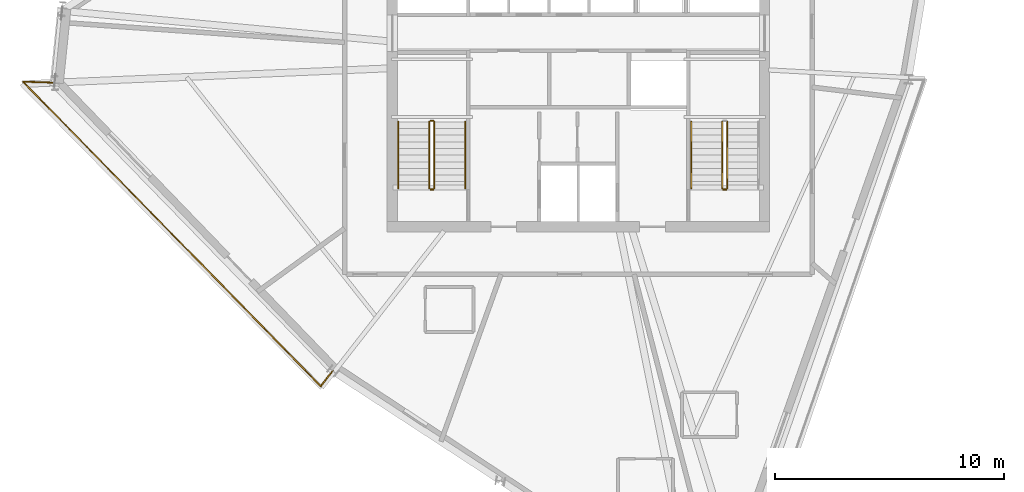
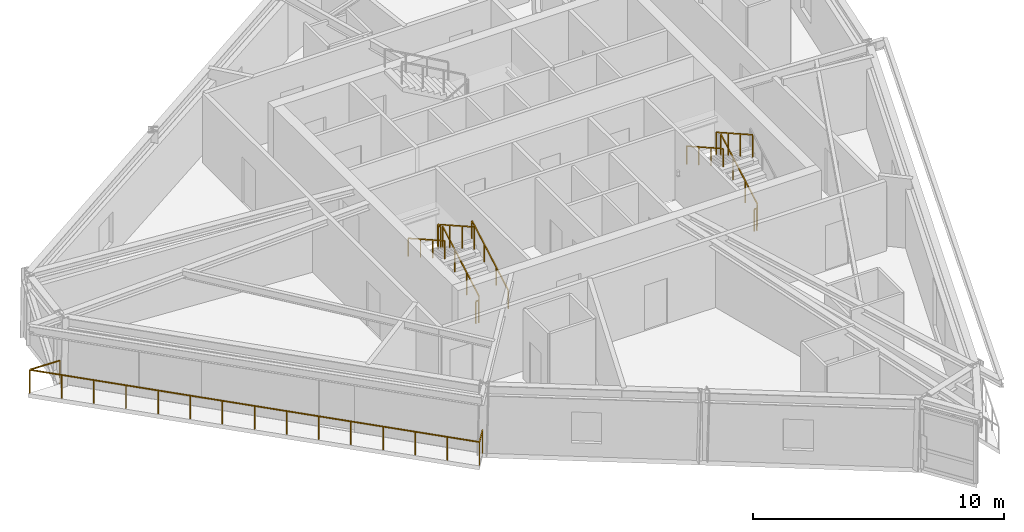
# One storey, part 11 of 13: 11 railings.
"""IFC4 building model written with IfcOpenShell, lengths in metres."""

import ifcopenshell
import ifcopenshell.guid

model = None  # the IFC model being written
_history = None  # IfcOwnerHistory: only IFC2X3 demands one
_inside = {}  # id of a spatial element -> (the spatial element, [elements in it])
_under = {}  # id of a project, library or spatial element -> (it, [spatial elements below it])
_declared = {}  # id of a project -> (the project, [libraries it declares])
_typed = {}  # id of a type object -> (the type object, [elements of that type])
_made_of = {}  # id of a material, layer set ... -> (it, [elements and type objects made of it])


def new_model(schema):
    """Start an empty IFC model of exactly this schema.

    Asked for "IFC4X3", IfcOpenShell would pick the latest addendum, in which some entities
    have other attributes; the version numbers below select the first issue.
    IFC2X3 requires an IfcOwnerHistory on every rooted entity: one is made here for all.
    """
    global model, _history
    if schema == "IFC4X3":
        model = ifcopenshell.file(schema_version=(4, 3, 0, 0))
    else:
        model = ifcopenshell.file(schema=schema)
    _inside.clear()
    _under.clear()
    _declared.clear()
    _typed.clear()
    _made_of.clear()
    _history = None
    if model.schema == "IFC2X3":
        org = make("IfcOrganization", Name="unknown")
        user = make(
            "IfcPersonAndOrganization",
            ThePerson=make("IfcPerson", FamilyName="unknown"),
            TheOrganization=org,
        )
        app = make(
            "IfcApplication",
            ApplicationDeveloper=org,
            Version="unknown",
            ApplicationFullName="unknown",
            ApplicationIdentifier="unknown",
        )
        _history = make(
            "IfcOwnerHistory",
            OwningUser=user,
            OwningApplication=app,
            ChangeAction="ADDED",
            CreationDate=0,
        )
    return model


def make(cls, **values):
    """One entity of the class cls with the attributes given. An attribute that is None is left unset."""
    return model.create_entity(
        cls, **{name: value for name, value in values.items() if value is not None}
    )


def rooted(cls, **values):
    """An entity with a GlobalId (a new one), such as an element, a storey or a relation."""
    return make(cls, GlobalId=ifcopenshell.guid.new(), OwnerHistory=_history, **values)


def si_unit(unit_type, name, prefix=None):
    """IfcSIUnit, for example si_unit("LENGTHUNIT", "METRE", prefix="MILLI")."""
    return make("IfcSIUnit", UnitType=unit_type, Prefix=prefix, Name=name)


def assignment(units):
    """IfcUnitAssignment: the units of a project."""
    return None if units is None else make("IfcUnitAssignment", Units=units)


def point(xyz):
    """IfcCartesianPoint."""
    return None if xyz is None else make("IfcCartesianPoint", Coordinates=xyz)


def direction(xyz):
    """IfcDirection."""
    return None if xyz is None else make("IfcDirection", DirectionRatios=xyz)


def frame(location, z_axis=None, x_axis=None):
    """IfcAxis2Placement3D, a coordinate frame: its origin and axes. An axis left out is left unset."""
    return make(
        "IfcAxis2Placement3D",
        Location=point(location),
        Axis=direction(z_axis),
        RefDirection=direction(x_axis),
    )


def frame_2d(location, x_axis=None):
    """IfcAxis2Placement2D, a coordinate frame in the plane: its origin and x axis."""
    return make(
        "IfcAxis2Placement2D", Location=point(location), RefDirection=direction(x_axis)
    )


def origin():
    """The frame at (0, 0, 0) with its axes left unset."""
    return frame((0.0, 0.0, 0.0))


def origin_2d():
    """The frame at (0, 0) in the plane with its x axis left unset."""
    return frame_2d((0.0, 0.0))


def place(relative_to, where):
    """IfcLocalPlacement: puts the frame where relative to a parent placement (None: the world)."""
    return make(
        "IfcLocalPlacement", PlacementRelTo=relative_to, RelativePlacement=where
    )


def context(
    kind, dimensions, precision=None, world=None, true_north=None, identifier=None
):
    """IfcGeometricRepresentationContext, for example the 3D "Model" context."""
    return make(
        "IfcGeometricRepresentationContext",
        ContextIdentifier=identifier,
        ContextType=kind,
        CoordinateSpaceDimension=dimensions,
        Precision=precision,
        WorldCoordinateSystem=world,
        TrueNorth=true_north,
    )


def subcontext(parent, identifier, kind, view, scale=None):
    """IfcGeometricRepresentationSubContext, for example "Body" below "Model"."""
    return make(
        "IfcGeometricRepresentationSubContext",
        ContextIdentifier=identifier,
        ContextType=kind,
        ParentContext=parent,
        TargetScale=scale,
        TargetView=view,
    )


def project(units=None, contexts=None):
    """IfcProject with its units and contexts."""
    return rooted(
        "IfcProject",
        Name="project",
        RepresentationContexts=contexts,
        UnitsInContext=assignment(units),
    )


def spatial(cls, under=None, at=None, **own):
    """A site, building, storey or space (cls), placed at a placement, below another one or the project."""
    s = rooted(cls, ObjectPlacement=at, **own)
    if under is not None:
        _under.setdefault(under.id(), (under, []))[1].append(s)
    return s


def profile(cls, at=None, kind="AREA", **sizes):
    """A parametric profile (cls). Its sizes go by their IFC names, for example OverallWidth=200.0."""
    return make(cls, ProfileType=kind, Position=at, **sizes)


def rectangle(**sizes):
    """IfcRectangleProfileDef."""
    return profile("IfcRectangleProfileDef", **sizes)


def extrude(swept, where, along, depth):
    """IfcExtrudedAreaSolid: the profile swept, set in the frame where, extruded along a direction by depth."""
    return make(
        "IfcExtrudedAreaSolid",
        SweptArea=swept,
        Position=where,
        ExtrudedDirection=direction(along),
        Depth=depth,
    )


def shape(context_of_items, identifier, shape_type, items):
    """IfcShapeRepresentation: the items that make up one representation, for example the "Body"."""
    return make(
        "IfcShapeRepresentation",
        ContextOfItems=context_of_items,
        RepresentationIdentifier=identifier,
        RepresentationType=shape_type,
        Items=items,
    )


def material(Name=None, Category=None):
    """IfcMaterial."""
    return make("IfcMaterial", Name=Name, Category=Category)


def made_of(thing, what):
    """Note that an element or type object is made of a material, layer set ...; save() writes the relation."""
    if what is not None:
        _made_of.setdefault(what.id(), (what, []))[1].append(thing)
    return thing


def type_object(cls, material=None, **own):
    """A type object (cls), such as IfcWallType, which elements share."""
    return made_of(rooted(cls, **own), material)


def element(
    cls,
    number,
    at=None,
    inside=None,
    cuts=None,
    type_object=None,
    material=None,
    context=None,
    identifier="Body",
    shape_type=None,
    held_by="IfcProductDefinitionShape",
    body=None,
    shapes=None,
    **own,
):
    """One element of the class cls, such as IfcWall. Its Tag is "e" and its number.

    at: its placement. inside: the storey or other place that contains it. cuts: it is an
    opening in that element (IfcRelVoidsElement). A single representation is given by context,
    identifier, shape_type and body (its items); several are given by shapes. held_by: the class
    of the entity that holds the representations. save() writes the other relations.
    """
    e = rooted(cls, Tag="e%d" % number, ObjectPlacement=at, **own)
    if body is not None:
        shapes = [shape(context, identifier, shape_type, body)]
    if shapes is not None:
        e.Representation = make(held_by, Representations=shapes)
    if inside is not None:
        _inside.setdefault(inside.id(), (inside, []))[1].append(e)
    if cuts is not None:
        rooted(
            "IfcRelVoidsElement", RelatingBuildingElement=cuts, RelatedOpeningElement=e
        )
    if type_object is not None:
        _typed.setdefault(type_object.id(), (type_object, []))[1].append(e)
    return made_of(e, material)


def aggregate(whole, parts):
    """IfcRelAggregates: a whole, such as a stair, and the parts it consists of."""
    return rooted("IfcRelAggregates", RelatingObject=whole, RelatedObjects=parts)


def save(model, path):
    """Write the relations noted so far, then the file.

    IfcRelAggregates (storeys below a building ...), IfcRelContainedInSpatialStructure (elements
    in a storey), IfcRelDefinesByType, IfcRelAssociatesMaterial and IfcRelDeclares: one each for
    every whole, place, type object, material and project.
    """
    for whole, parts in _under.values():
        aggregate(whole, parts)
    for where, things in _inside.values():
        rooted(
            "IfcRelContainedInSpatialStructure",
            RelatedElements=things,
            RelatingStructure=where,
        )
    for kind, things in _typed.values():
        rooted("IfcRelDefinesByType", RelatedObjects=things, RelatingType=kind)
    for what, things in _made_of.values():
        rooted("IfcRelAssociatesMaterial", RelatedObjects=things, RelatingMaterial=what)
    for by, libraries in _declared.values():
        rooted("IfcRelDeclares", RelatingContext=by, RelatedDefinitions=libraries)
    model.write(path)


model = new_model("IFC4")

# Units and contexts
model_context = context("Model", 3, precision=1e-05, world=origin(), true_north=direction((0.0, 1.0)))
body_context = subcontext(model_context, "Body", "Model", "MODEL_VIEW")
ifc_project = project(units=[si_unit("LENGTHUNIT", "METRE"), si_unit("AREAUNIT", "SQUARE_METRE"), si_unit("VOLUMEUNIT", "CUBIC_METRE"), si_unit("PLANEANGLEUNIT", "RADIAN"), si_unit("MASSUNIT", "GRAM", prefix="KILO")], contexts=[model_context])

# Site, building, storey
site_placement = place(None, origin())
site = spatial("IfcSite", under=ifc_project, at=site_placement, CompositionType="ELEMENT")
building_placement = place(site_placement, origin())
building = spatial("IfcBuilding", under=site, at=building_placement, Name="Olszyna Solenne Hotel", CompositionType="ELEMENT")
storey_placement = place(building_placement, frame((0.0, 0.0, 248.89990234375)))
storey = spatial("IfcBuildingStorey", under=building, at=storey_placement, Name="L66", CompositionType="ELEMENT", Elevation=248.89990234375)

# Railings
ifc_material_1 = material(Name="Anodised bronze aluminium", Category="aluminium")
railing_type_1 = type_object("IfcRailingType", Name="GR-110", PredefinedType="BALUSTRADE", material=ifc_material_1)
railing_1_placement = place(storey_placement, frame((15.149169921875, 25.56201171875, 0.0)))
element("IfcRailing", 1, at=railing_1_placement, inside=storey, type_object=railing_type_1, Name="Loggia balcony balustrade guard GR-L66-LG2", PredefinedType="BALUSTRADE", context=body_context, shape_type="SweptSolid", body=[
    extrude(rectangle(XDim=0.048095703125, YDim=0.048095703125, at=origin_2d()), frame((0.0, 0.0, 1.1259765625), z_axis=(-0.999457990226, 0.03291999047, 0.0), x_axis=(-0.03291999047, -0.999457990226, 0.0)), (0.0, 0.0, 1.0), 1.37939453125),
    extrude(rectangle(XDim=0.048095703125, YDim=0.048095703125, at=origin_2d()), frame((-1.378662109375, 0.04541015625, 1.1259765625), z_axis=(0.699073448601, -0.715049867814, 0.0), x_axis=(0.715049867814, 0.699073448601, 0.0)), (0.0, 0.0, 1.0), 18.58203125),
    extrude(rectangle(XDim=0.048095703125, YDim=0.048095703125, at=origin_2d()), frame((11.611572265625, -13.24169921875, 1.1259765625), z_axis=(0.616035920196, 0.78771806189, 0.0), x_axis=(-0.78771806189, 0.616035920196, 0.0)), (0.0, 0.0, 1.0), 0.84619140625),
    extrude(rectangle(XDim=0.0419921875, YDim=0.0419921875, at=origin_2d()), origin(), (0.0, 0.0, 1.0), 1.101806640625),
    extrude(rectangle(XDim=0.0419921875, YDim=0.0419921875, at=origin_2d()), frame((-1.378662109375, 0.04541015625, 0.0)), (0.0, 0.0, 1.0), 1.101806640625),
    extrude(rectangle(XDim=0.0419921875, YDim=0.0419921875, at=origin_2d()), frame((-0.45068359375, -0.903564453125, 0.0)), (0.0, 0.0, 1.0), 1.101806640625),
    extrude(rectangle(XDim=0.0419921875, YDim=0.0419921875, at=origin_2d()), frame((0.47705078125, -1.852783203125, 0.0)), (0.0, 0.0, 1.0), 1.101806640625),
    extrude(rectangle(XDim=0.0419921875, YDim=0.0419921875, at=origin_2d()), frame((1.405029296875, -2.8017578125, 0.0)), (0.0, 0.0, 1.0), 1.101806640625),
    extrude(rectangle(XDim=0.0419921875, YDim=0.0419921875, at=origin_2d()), frame((2.332763671875, -3.7509765625, 0.0)), (0.0, 0.0, 1.0), 1.101806640625),
    extrude(rectangle(XDim=0.0419921875, YDim=0.0419921875, at=origin_2d()), frame((3.2607421875, -4.699951171875, 0.0)), (0.0, 0.0, 1.0), 1.101806640625),
    extrude(rectangle(XDim=0.0419921875, YDim=0.0419921875, at=origin_2d()), frame((4.1884765625, -5.649169921875, 0.0)), (0.0, 0.0, 1.0), 1.101806640625),
    extrude(rectangle(XDim=0.0419921875, YDim=0.0419921875, at=origin_2d()), frame((5.116455078125, -6.59814453125, 0.0)), (0.0, 0.0, 1.0), 1.101806640625),
    extrude(rectangle(XDim=0.0419921875, YDim=0.0419921875, at=origin_2d()), frame((6.04443359375, -7.547119140625, 0.0)), (0.0, 0.0, 1.0), 1.101806640625),
    extrude(rectangle(XDim=0.0419921875, YDim=0.0419921875, at=origin_2d()), frame((6.97216796875, -8.496337890625, 0.0)), (0.0, 0.0, 1.0), 1.101806640625),
    extrude(rectangle(XDim=0.0419921875, YDim=0.0419921875, at=origin_2d()), frame((7.900146484375, -9.4453125, 0.0)), (0.0, 0.0, 1.0), 1.101806640625),
    extrude(rectangle(XDim=0.0419921875, YDim=0.0419921875, at=origin_2d()), frame((8.827880859375, -10.39453125, 0.0)), (0.0, 0.0, 1.0), 1.101806640625),
    extrude(rectangle(XDim=0.0419921875, YDim=0.0419921875, at=origin_2d()), frame((9.755859375, -11.343505859375, 0.0)), (0.0, 0.0, 1.0), 1.101806640625),
    extrude(rectangle(XDim=0.0419921875, YDim=0.0419921875, at=origin_2d()), frame((10.68359375, -12.292724609375, 0.0)), (0.0, 0.0, 1.0), 1.101806640625),
    extrude(rectangle(XDim=0.0419921875, YDim=0.0419921875, at=origin_2d()), frame((11.611572265625, -13.24169921875, 0.0)), (0.0, 0.0, 1.0), 1.101806640625),
    extrude(rectangle(XDim=0.0419921875, YDim=0.0419921875, at=origin_2d()), frame((12.1328125, -12.5751953125, 0.0)), (0.0, 0.0, 1.0), 1.101806640625),
])
railing_2_placement = place(storey_placement, frame((31.719970703125, 20.949951171875, 0.163818359375)))
element("IfcRailing", 2, at=railing_2_placement, inside=storey, type_object=railing_type_1, Name="L66 ST1 stair guard 1", PredefinedType="BALUSTRADE", context=body_context, shape_type="SweptSolid", body=[
    extrude(rectangle(XDim=0.048095703125, YDim=0.048095703125, at=origin_2d()), frame((0.0, 0.0, 1.076171875), z_axis=(0.0, 0.870946286338, 0.49137823142), x_axis=(-1.0, 0.0, 0.0)), (0.0, 0.0, 1.0), 3.329833984375),
    extrude(rectangle(XDim=0.0419921875, YDim=0.0419921875, at=origin_2d()), origin(), (0.0, 0.0, 1.0), 1.052001953125),
    extrude(rectangle(XDim=0.0419921875, YDim=0.0419921875, at=origin_2d()), frame((0.0, 0.966796875, 0.54541015625)), (0.0, 0.0, 1.0), 1.052001953125),
    extrude(rectangle(XDim=0.0419921875, YDim=0.0419921875, at=origin_2d()), frame((0.0, 1.933349609375, 1.0908203125)), (0.0, 0.0, 1.0), 1.052001953125),
    extrude(rectangle(XDim=0.0419921875, YDim=0.0419921875, at=origin_2d()), frame((0.0, 2.900146484375, 1.63623046875)), (0.0, 0.0, 1.0), 1.052001953125),
])
railing_3_placement = place(storey_placement, frame((31.669921875, 23.89990234375, 1.800048828125)))
element("IfcRailing", 3, at=railing_3_placement, inside=storey, type_object=railing_type_1, Name="L66 ST1 stair guard 2", PredefinedType="BALUSTRADE", context=body_context, shape_type="SweptSolid", body=[
    extrude(rectangle(XDim=0.048095703125, YDim=0.048095703125, at=origin_2d()), frame((0.0, 0.0, 1.076171875), z_axis=(-1.0, 0.0, 0.0), x_axis=(0.0, -1.0, 0.0)), (0.0, 0.0, 1.0), 0.119873046875),
    extrude(rectangle(XDim=0.0419921875, YDim=0.0419921875, at=origin_2d()), origin(), (0.0, 0.0, 1.0), 1.052001953125),
    extrude(rectangle(XDim=0.0419921875, YDim=0.0419921875, at=origin_2d()), frame((-0.119873046875, 0.0, 0.0)), (0.0, 0.0, 1.0), 1.052001953125),
])
railing_4_placement = place(storey_placement, frame((31.5, 23.85009765625, 1.963623046875)))
element("IfcRailing", 4, at=railing_4_placement, inside=storey, type_object=railing_type_1, Name="L66 ST1 stair guard 3", PredefinedType="BALUSTRADE", context=body_context, shape_type="SweptSolid", body=[
    extrude(rectangle(XDim=0.048095703125, YDim=0.048095703125, at=origin_2d()), frame((0.0, 0.0, 1.076171875), z_axis=(0.0, -0.870914908162, 0.491433843708), x_axis=(1.0, 0.0, 0.0)), (0.0, 0.0, 1.0), 3.330078125),
    extrude(rectangle(XDim=0.0419921875, YDim=0.0419921875, at=origin_2d()), origin(), (0.0, 0.0, 1.0), 1.052001953125),
    extrude(rectangle(XDim=0.0419921875, YDim=0.0419921875, at=origin_2d()), frame((0.0, -0.966796875, 0.54541015625)), (0.0, 0.0, 1.0), 1.052001953125),
    extrude(rectangle(XDim=0.0419921875, YDim=0.0419921875, at=origin_2d()), frame((0.0, -1.933349609375, 1.091064453125)), (0.0, 0.0, 1.0), 1.052001953125),
    extrude(rectangle(XDim=0.0419921875, YDim=0.0419921875, at=origin_2d()), frame((0.0, -2.900146484375, 1.636474609375)), (0.0, 0.0, 1.0), 1.052001953125),
])
railing_5_placement = place(storey_placement, frame((31.669921875, 20.89990234375, 0.0)))
element("IfcRailing", 5, at=railing_5_placement, inside=storey, type_object=railing_type_1, Name="L66 ST1 stair guard 4", PredefinedType="BALUSTRADE", context=body_context, shape_type="SweptSolid", body=[
    extrude(rectangle(XDim=0.048095703125, YDim=0.048095703125, at=origin_2d()), frame((0.0, 0.0, 1.076171875), z_axis=(-1.0, 0.0, 0.0), x_axis=(0.0, -1.0, 0.0)), (0.0, 0.0, 1.0), 0.119873046875),
    extrude(rectangle(XDim=0.0419921875, YDim=0.0419921875, at=origin_2d()), origin(), (0.0, 0.0, 1.0), 1.052001953125),
    extrude(rectangle(XDim=0.0419921875, YDim=0.0419921875, at=origin_2d()), frame((-0.119873046875, 0.0, 0.0)), (0.0, 0.0, 1.0), 1.052001953125),
])
railing_6_placement = place(storey_placement, frame((44.5, 20.949951171875, 0.163818359375)))
element("IfcRailing", 6, at=railing_6_placement, inside=storey, type_object=railing_type_1, Name="L66 ST2 stair guard 1", PredefinedType="BALUSTRADE", context=body_context, shape_type="SweptSolid", body=[
    extrude(rectangle(XDim=0.048095703125, YDim=0.048095703125, at=origin_2d()), frame((0.0, 0.0, 1.076171875), z_axis=(0.0, 0.870946286338, 0.49137823142), x_axis=(-1.0, 0.0, 0.0)), (0.0, 0.0, 1.0), 3.329833984375),
    extrude(rectangle(XDim=0.0419921875, YDim=0.0419921875, at=origin_2d()), origin(), (0.0, 0.0, 1.0), 1.052001953125),
    extrude(rectangle(XDim=0.0419921875, YDim=0.0419921875, at=origin_2d()), frame((0.0, 0.966796875, 0.54541015625)), (0.0, 0.0, 1.0), 1.052001953125),
    extrude(rectangle(XDim=0.0419921875, YDim=0.0419921875, at=origin_2d()), frame((0.0, 1.933349609375, 1.0908203125)), (0.0, 0.0, 1.0), 1.052001953125),
    extrude(rectangle(XDim=0.0419921875, YDim=0.0419921875, at=origin_2d()), frame((0.0, 2.900146484375, 1.63623046875)), (0.0, 0.0, 1.0), 1.052001953125),
])
railing_7_placement = place(storey_placement, frame((44.280029296875, 23.85009765625, 1.963623046875)))
element("IfcRailing", 7, at=railing_7_placement, inside=storey, type_object=railing_type_1, Name="L66 ST2 stair guard 3", PredefinedType="BALUSTRADE", context=body_context, shape_type="SweptSolid", body=[
    extrude(rectangle(XDim=0.048095703125, YDim=0.048095703125, at=origin_2d()), frame((0.0, 0.0, 1.076171875), z_axis=(0.0, -0.870914908162, 0.491433843708), x_axis=(1.0, 0.0, 0.0)), (0.0, 0.0, 1.0), 3.330078125),
    extrude(rectangle(XDim=0.0419921875, YDim=0.0419921875, at=origin_2d()), origin(), (0.0, 0.0, 1.0), 1.052001953125),
    extrude(rectangle(XDim=0.0419921875, YDim=0.0419921875, at=origin_2d()), frame((0.0, -0.966796875, 0.54541015625)), (0.0, 0.0, 1.0), 1.052001953125),
    extrude(rectangle(XDim=0.0419921875, YDim=0.0419921875, at=origin_2d()), frame((0.0, -1.933349609375, 1.091064453125)), (0.0, 0.0, 1.0), 1.052001953125),
    extrude(rectangle(XDim=0.0419921875, YDim=0.0419921875, at=origin_2d()), frame((0.0, -2.900146484375, 1.636474609375)), (0.0, 0.0, 1.0), 1.052001953125),
])
railing_8_placement = place(storey_placement, frame((44.449951171875, 20.89990234375, 0.0)))
element("IfcRailing", 8, at=railing_8_placement, inside=storey, type_object=railing_type_1, Name="L66 ST2 stair guard 4", PredefinedType="BALUSTRADE", context=body_context, shape_type="SweptSolid", body=[
    extrude(rectangle(XDim=0.048095703125, YDim=0.048095703125, at=origin_2d()), frame((0.0, 0.0, 1.076171875), z_axis=(-1.0, 0.0, 0.0), x_axis=(0.0, -1.0, 0.0)), (0.0, 0.0, 1.0), 0.119873046875),
    extrude(rectangle(XDim=0.0419921875, YDim=0.0419921875, at=origin_2d()), origin(), (0.0, 0.0, 1.0), 1.052001953125),
    extrude(rectangle(XDim=0.0419921875, YDim=0.0419921875, at=origin_2d()), frame((-0.119873046875, 0.0, 0.0)), (0.0, 0.0, 1.0), 1.052001953125),
])
ifc_material_2 = material(Name="Steel S355J2", Category="steel")
railing_type_2 = type_object("IfcRailingType", Name="HR-090", PredefinedType="HANDRAIL", material=ifc_material_2)
railing_9_placement = place(storey_placement, frame((33.070068359375, 20.949951171875, 0.163818359375)))
element("IfcRailing", 9, at=railing_9_placement, inside=storey, type_object=railing_type_2, Name="L66 ST1 stair handrail 1", PredefinedType="HANDRAIL", context=body_context, shape_type="SweptSolid", body=[
    extrude(rectangle(XDim=0.048095703125, YDim=0.048095703125, at=origin_2d()), frame((0.0, 0.0, 0.8759765625), z_axis=(0.0, 0.870946286338, 0.49137823142), x_axis=(-1.0, 0.0, 0.0)), (0.0, 0.0, 1.0), 3.329833984375),
    extrude(rectangle(XDim=0.0419921875, YDim=0.0419921875, at=origin_2d()), origin(), (0.0, 0.0, 1.0), 0.851806640625),
    extrude(rectangle(XDim=0.0419921875, YDim=0.0419921875, at=origin_2d()), frame((0.0, 0.966796875, 0.54541015625)), (0.0, 0.0, 1.0), 0.851806640625),
    extrude(rectangle(XDim=0.0419921875, YDim=0.0419921875, at=origin_2d()), frame((0.0, 1.933349609375, 1.0908203125)), (0.0, 0.0, 1.0), 0.851806640625),
    extrude(rectangle(XDim=0.0419921875, YDim=0.0419921875, at=origin_2d()), frame((0.0, 2.900146484375, 1.63623046875)), (0.0, 0.0, 1.0), 0.851806640625),
])
for number, where, name in (
    (10, (30.14990234375, 23.85009765625, 1.963623046875), "L66 ST1 stair handrail 2"),
    (11, (42.929931640625, 23.85009765625, 1.963623046875), "L66 ST2 stair handrail 2"),
):
    element("IfcRailing", number, at=place(storey_placement, frame(where)), inside=storey, type_object=railing_type_2, Name=name, PredefinedType="HANDRAIL", context=body_context, shape_type="SweptSolid", body=[
        extrude(rectangle(XDim=0.048095703125, YDim=0.048095703125, at=origin_2d()), frame((0.0, 0.0, 0.8759765625), z_axis=(0.0, -0.870914908162, 0.491433843708), x_axis=(1.0, 0.0, 0.0)), (0.0, 0.0, 1.0), 3.330078125),
        extrude(rectangle(XDim=0.0419921875, YDim=0.0419921875, at=origin_2d()), origin(), (0.0, 0.0, 1.0), 0.851806640625),
        extrude(rectangle(XDim=0.0419921875, YDim=0.0419921875, at=origin_2d()), frame((0.0, -0.966796875, 0.54541015625)), (0.0, 0.0, 1.0), 0.851806640625),
        extrude(rectangle(XDim=0.0419921875, YDim=0.0419921875, at=origin_2d()), frame((0.0, -1.933349609375, 1.091064453125)), (0.0, 0.0, 1.0), 0.851806640625),
        extrude(rectangle(XDim=0.0419921875, YDim=0.0419921875, at=origin_2d()), frame((0.0, -2.900146484375, 1.636474609375)), (0.0, 0.0, 1.0), 0.851806640625),
    ])

save(model, "model.ifc")
